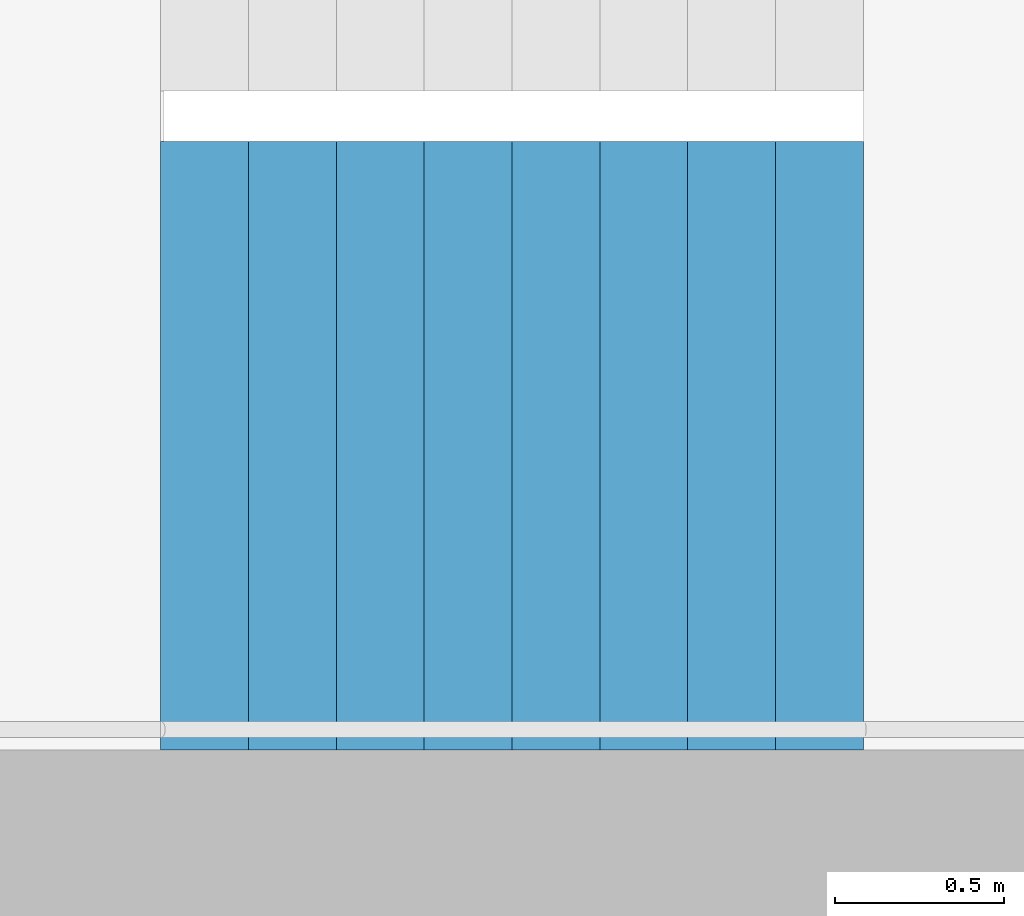
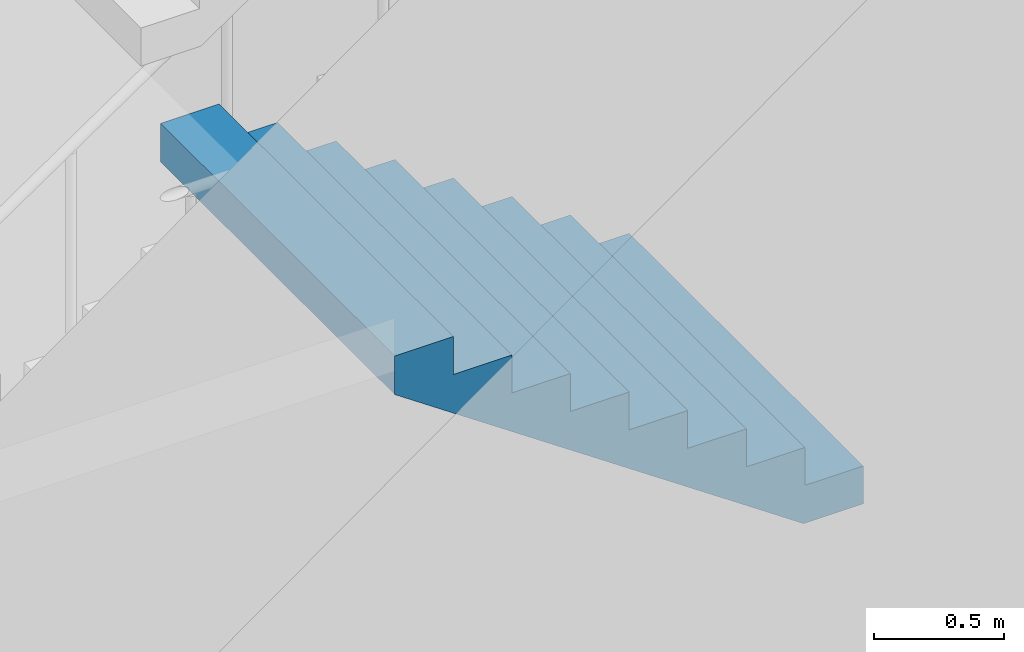
# One storey, part 23 of 41: 1 stair flight, 1 element without a shape of its own.
"""IFC4 building model written with IfcOpenShell, lengths in metres."""

from ifc_helpers import new_model, si_unit, direction, frame, origin, place, context, subcontext, project, spatial, triangles, material, type_object, element, aggregate, save


model = new_model("IFC4")

# Units and contexts
model_context = context("Model", 3, precision=1e-05, world=origin(), true_north=direction((0.0, 1.0)))
body_context = subcontext(model_context, "Body", "Model", "MODEL_VIEW")
ifc_project = project(units=[si_unit("LENGTHUNIT", "METRE"), si_unit("AREAUNIT", "SQUARE_METRE"), si_unit("VOLUMEUNIT", "CUBIC_METRE"), si_unit("PLANEANGLEUNIT", "RADIAN"), si_unit("MASSUNIT", "GRAM", prefix="KILO")], contexts=[model_context])

# Site, building, storey
site_placement = place(None, origin())
site = spatial("IfcSite", under=ifc_project, at=site_placement, CompositionType="ELEMENT")
building_placement = place(site_placement, origin())
building = spatial("IfcBuilding", under=site, at=building_placement, Name="Hakoniwa Tower and Hamabe Station Hall", CompositionType="ELEMENT")
storey_placement = place(building_placement, frame((0.0, 0.0, 180.199951171875)))
storey = spatial("IfcBuildingStorey", under=building, at=storey_placement, Name="L51", CompositionType="ELEMENT", Elevation=180.199951171875)

# Stair, stair flight
ifc_material_1 = material(Name="Concrete C40", Category="concrete")
stair_type = type_object("IfcStairType", Name="ESCAPE STAIR 1800", PredefinedType="HALF_TURN_STAIR", material=ifc_material_1)
stair_placement = place(storey_placement, origin())
stair = element("IfcStair", 1, at=stair_placement, inside=storey, type_object=stair_type, Name="Escape stair ST-4 L51", PredefinedType="HALF_TURN_STAIR")
ifc_material_2 = material(Name="Concrete C40", Category="concrete")
stair_flight_type = type_object("IfcStairFlightType", Name="STAIR FLIGHT 1800", PredefinedType="STRAIGHT", material=ifc_material_2)
stair_flight_placement = place(storey_placement, frame((25.47998046875, -6.60009765625, 1.60009765625), z_axis=(0.0, 0.0, 1.0), x_axis=(-1.0, 0.0, 0.0)))
stair_flight = element("IfcStairFlight", 2, at=stair_flight_placement, type_object=stair_flight_type, Name="ST-4 flight 2", NumberOfRisers=9, NumberOfTreads=8, PredefinedType="STRAIGHT", RiserHeight=0.177777778, TreadLength=0.26, context=body_context, shape_type="Tessellation", body=[
    triangles([(0.0, 0.89990234375, 0.0), (0.260009765625, 0.89990234375, 0.0), (0.265625, 0.89990234375, 0.0), (0.52001953125, 0.89990234375, 0.174072265625), (0.780029296875, 0.89990234375, 0.351806640625), (1.0400390625, 0.89990234375, 0.529541015625), (1.300048828125, 0.89990234375, 0.707275390625), (1.56005859375, 0.89990234375, 0.885009765625), (1.820068359375, 0.89990234375, 1.062744140625), (2.080078125, 0.89990234375, 1.24072265625), (2.080078125, 0.89990234375, 1.422119140625), (1.820068359375, 0.89990234375, 1.422119140625), (1.820068359375, 0.89990234375, 1.244384765625), (1.56005859375, 0.89990234375, 1.244384765625), (1.56005859375, 0.89990234375, 1.066650390625), (1.300048828125, 0.89990234375, 1.066650390625), (1.300048828125, 0.89990234375, 0.888916015625), (1.0400390625, 0.89990234375, 0.888916015625), (1.0400390625, 0.89990234375, 0.711181640625), (0.780029296875, 0.89990234375, 0.711181640625), (0.780029296875, 0.89990234375, 0.533447265625), (0.52001953125, 0.89990234375, 0.533447265625), (0.52001953125, 0.89990234375, 0.35546875), (0.265625, 0.89990234375, 0.35546875), (0.260009765625, 0.89990234375, 0.35546875), (0.260009765625, 0.89990234375, 0.177734375), (0.0, 0.89990234375, 0.177734375), (0.0, 0.06005859375, 0.0), (0.260009765625, 0.06005859375, 0.0), (0.265625, 0.06005859375, 0.0), (0.52001953125, 0.06005859375, 0.174072265625), (0.780029296875, 0.06005859375, 0.351806640625), (1.0400390625, 0.06005859375, 0.529541015625), (1.300048828125, 0.06005859375, 0.707275390625), (1.56005859375, 0.06005859375, 0.885009765625), (1.820068359375, 0.06005859375, 1.062744140625), (2.080078125, 0.06005859375, 1.24072265625), (2.080078125, 0.06005859375, 1.422119140625), (1.820068359375, 0.06005859375, 1.422119140625), (1.820068359375, 0.06005859375, 1.244384765625), (1.56005859375, 0.06005859375, 1.244384765625), (1.56005859375, 0.06005859375, 1.066650390625), (1.300048828125, 0.06005859375, 1.066650390625), (1.300048828125, 0.06005859375, 0.888916015625), (1.0400390625, 0.06005859375, 0.888916015625), (1.0400390625, 0.06005859375, 0.711181640625), (0.780029296875, 0.06005859375, 0.711181640625), (0.780029296875, 0.06005859375, 0.533447265625), (0.52001953125, 0.06005859375, 0.533447265625), (0.52001953125, 0.06005859375, 0.35546875), (0.265625, 0.06005859375, 0.35546875), (0.260009765625, 0.06005859375, 0.35546875), (0.260009765625, 0.06005859375, 0.177734375), (0.0, 0.06005859375, 0.177734375), (0.0, 0.04296875, 0.0), (0.260009765625, 0.04296875, 0.0), (0.265625, 0.04296875, 0.0), (0.52001953125, 0.04296875, 0.174072265625), (0.780029296875, 0.04296875, 0.351806640625), (1.0400390625, 0.04296875, 0.529541015625), (1.300048828125, 0.04296875, 0.707275390625), (1.56005859375, 0.04296875, 0.885009765625), (1.820068359375, 0.04296875, 1.062744140625), (2.080078125, 0.04296875, 1.24072265625), (2.080078125, 0.04296875, 1.422119140625), (1.820068359375, 0.04296875, 1.422119140625), (1.820068359375, 0.04296875, 1.244384765625), (1.56005859375, 0.04296875, 1.244384765625), (1.56005859375, 0.04296875, 1.066650390625), (1.300048828125, 0.04296875, 1.066650390625), (1.300048828125, 0.04296875, 0.888916015625), (1.0400390625, 0.04296875, 0.888916015625), (1.0400390625, 0.04296875, 0.711181640625), (0.780029296875, 0.04296875, 0.711181640625), (0.780029296875, 0.04296875, 0.533447265625), (0.52001953125, 0.04296875, 0.533447265625), (0.52001953125, 0.04296875, 0.35546875), (0.265625, 0.04296875, 0.35546875), (0.260009765625, 0.04296875, 0.35546875), (0.260009765625, 0.04296875, 0.177734375), (0.0, 0.04296875, 0.177734375), (0.0, 0.025634765625, 0.0), (0.260009765625, 0.025634765625, 0.0), (0.265625, 0.025634765625, 0.0), (0.52001953125, 0.025634765625, 0.174072265625), (0.780029296875, 0.025634765625, 0.351806640625), (1.0400390625, 0.025634765625, 0.529541015625), (1.300048828125, 0.025634765625, 0.707275390625), (1.56005859375, 0.025634765625, 0.885009765625), (1.820068359375, 0.025634765625, 1.062744140625), (2.080078125, 0.025634765625, 1.24072265625), (2.080078125, 0.025634765625, 1.422119140625), (1.820068359375, 0.025634765625, 1.422119140625), (1.820068359375, 0.025634765625, 1.244384765625), (1.56005859375, 0.025634765625, 1.244384765625), (1.56005859375, 0.025634765625, 1.066650390625), (1.300048828125, 0.025634765625, 1.066650390625), (1.300048828125, 0.025634765625, 0.888916015625), (1.0400390625, 0.025634765625, 0.888916015625), (1.0400390625, 0.025634765625, 0.711181640625), (0.780029296875, 0.025634765625, 0.711181640625), (0.780029296875, 0.025634765625, 0.533447265625), (0.52001953125, 0.025634765625, 0.533447265625), (0.52001953125, 0.025634765625, 0.35546875), (0.265625, 0.025634765625, 0.35546875), (0.260009765625, 0.025634765625, 0.35546875), (0.260009765625, 0.025634765625, 0.177734375), (0.0, 0.025634765625, 0.177734375), (0.0, 0.008544921875, 0.0), (0.260009765625, 0.008544921875, 0.0), (0.265625, 0.008544921875, 0.0), (0.52001953125, 0.008544921875, 0.174072265625), (0.780029296875, 0.008544921875, 0.351806640625), (1.0400390625, 0.008544921875, 0.529541015625), (1.300048828125, 0.008544921875, 0.707275390625), (1.56005859375, 0.008544921875, 0.885009765625), (1.820068359375, 0.008544921875, 1.062744140625), (2.080078125, 0.008544921875, 1.24072265625), (2.080078125, 0.008544921875, 1.422119140625), (1.820068359375, 0.008544921875, 1.422119140625), (1.820068359375, 0.008544921875, 1.244384765625), (1.56005859375, 0.008544921875, 1.244384765625), (1.56005859375, 0.008544921875, 1.066650390625), (1.300048828125, 0.008544921875, 1.066650390625), (1.300048828125, 0.008544921875, 0.888916015625), (1.0400390625, 0.008544921875, 0.888916015625), (1.0400390625, 0.008544921875, 0.711181640625), (0.780029296875, 0.008544921875, 0.711181640625), (0.780029296875, 0.008544921875, 0.533447265625), (0.52001953125, 0.008544921875, 0.533447265625), (0.52001953125, 0.008544921875, 0.35546875), (0.265625, 0.008544921875, 0.35546875), (0.260009765625, 0.008544921875, 0.35546875), (0.260009765625, 0.008544921875, 0.177734375), (0.0, 0.008544921875, 0.177734375), (0.0, -0.008544921875, 0.0), (0.260009765625, -0.008544921875, 0.0), (0.265625, -0.008544921875, 0.0), (0.52001953125, -0.008544921875, 0.174072265625), (0.780029296875, -0.008544921875, 0.351806640625), (1.0400390625, -0.008544921875, 0.529541015625), (1.300048828125, -0.008544921875, 0.707275390625), (1.56005859375, -0.008544921875, 0.885009765625), (1.820068359375, -0.008544921875, 1.062744140625), (2.080078125, -0.008544921875, 1.24072265625), (2.080078125, -0.008544921875, 1.422119140625), (1.820068359375, -0.008544921875, 1.422119140625), (1.820068359375, -0.008544921875, 1.244384765625), (1.56005859375, -0.008544921875, 1.244384765625), (1.56005859375, -0.008544921875, 1.066650390625), (1.300048828125, -0.008544921875, 1.066650390625), (1.300048828125, -0.008544921875, 0.888916015625), (1.0400390625, -0.008544921875, 0.888916015625), (1.0400390625, -0.008544921875, 0.711181640625), (0.780029296875, -0.008544921875, 0.711181640625), (0.780029296875, -0.008544921875, 0.533447265625), (0.52001953125, -0.008544921875, 0.533447265625), (0.52001953125, -0.008544921875, 0.35546875), (0.265625, -0.008544921875, 0.35546875), (0.260009765625, -0.008544921875, 0.35546875), (0.260009765625, -0.008544921875, 0.177734375), (0.0, -0.008544921875, 0.177734375), (0.0, -0.025634765625, 0.0), (0.260009765625, -0.025634765625, 0.0), (0.265625, -0.025634765625, 0.0), (0.52001953125, -0.025634765625, 0.174072265625), (0.780029296875, -0.025634765625, 0.351806640625), (1.0400390625, -0.025634765625, 0.529541015625), (1.300048828125, -0.025634765625, 0.707275390625), (1.56005859375, -0.025634765625, 0.885009765625), (1.820068359375, -0.025634765625, 1.062744140625), (2.080078125, -0.025634765625, 1.24072265625), (2.080078125, -0.025634765625, 1.422119140625), (1.820068359375, -0.025634765625, 1.422119140625), (1.820068359375, -0.025634765625, 1.244384765625), (1.56005859375, -0.025634765625, 1.244384765625), (1.56005859375, -0.025634765625, 1.066650390625), (1.300048828125, -0.025634765625, 1.066650390625), (1.300048828125, -0.025634765625, 0.888916015625), (1.0400390625, -0.025634765625, 0.888916015625), (1.0400390625, -0.025634765625, 0.711181640625), (0.780029296875, -0.025634765625, 0.711181640625), (0.780029296875, -0.025634765625, 0.533447265625), (0.52001953125, -0.025634765625, 0.533447265625), (0.52001953125, -0.025634765625, 0.35546875), (0.265625, -0.025634765625, 0.35546875), (0.260009765625, -0.025634765625, 0.35546875), (0.260009765625, -0.025634765625, 0.177734375), (0.0, -0.025634765625, 0.177734375), (0.0, -0.04296875, 0.0), (0.260009765625, -0.04296875, 0.0), (0.265625, -0.04296875, 0.0), (0.52001953125, -0.04296875, 0.174072265625), (0.780029296875, -0.04296875, 0.351806640625), (1.0400390625, -0.04296875, 0.529541015625), (1.300048828125, -0.04296875, 0.707275390625), (1.56005859375, -0.04296875, 0.885009765625), (1.820068359375, -0.04296875, 1.062744140625), (2.080078125, -0.04296875, 1.24072265625), (2.080078125, -0.04296875, 1.422119140625), (1.820068359375, -0.04296875, 1.422119140625), (1.820068359375, -0.04296875, 1.244384765625), (1.56005859375, -0.04296875, 1.244384765625), (1.56005859375, -0.04296875, 1.066650390625), (1.300048828125, -0.04296875, 1.066650390625), (1.300048828125, -0.04296875, 0.888916015625), (1.0400390625, -0.04296875, 0.888916015625), (1.0400390625, -0.04296875, 0.711181640625), (0.780029296875, -0.04296875, 0.711181640625), (0.780029296875, -0.04296875, 0.533447265625), (0.52001953125, -0.04296875, 0.533447265625), (0.52001953125, -0.04296875, 0.35546875), (0.265625, -0.04296875, 0.35546875), (0.260009765625, -0.04296875, 0.35546875), (0.260009765625, -0.04296875, 0.177734375), (0.0, -0.04296875, 0.177734375), (0.0, -0.06005859375, 0.0), (0.260009765625, -0.06005859375, 0.0), (0.265625, -0.06005859375, 0.0), (0.52001953125, -0.06005859375, 0.174072265625), (0.780029296875, -0.06005859375, 0.351806640625), (1.0400390625, -0.06005859375, 0.529541015625), (1.300048828125, -0.06005859375, 0.707275390625), (1.56005859375, -0.06005859375, 0.885009765625), (1.820068359375, -0.06005859375, 1.062744140625), (2.080078125, -0.06005859375, 1.24072265625), (2.080078125, -0.06005859375, 1.422119140625), (1.820068359375, -0.06005859375, 1.422119140625), (1.820068359375, -0.06005859375, 1.244384765625), (1.56005859375, -0.06005859375, 1.244384765625), (1.56005859375, -0.06005859375, 1.066650390625), (1.300048828125, -0.06005859375, 1.066650390625), (1.300048828125, -0.06005859375, 0.888916015625), (1.0400390625, -0.06005859375, 0.888916015625), (1.0400390625, -0.06005859375, 0.711181640625), (0.780029296875, -0.06005859375, 0.711181640625), (0.780029296875, -0.06005859375, 0.533447265625), (0.52001953125, -0.06005859375, 0.533447265625), (0.52001953125, -0.06005859375, 0.35546875), (0.265625, -0.06005859375, 0.35546875), (0.260009765625, -0.06005859375, 0.35546875), (0.260009765625, -0.06005859375, 0.177734375), (0.0, -0.06005859375, 0.177734375), (0.0, -0.89990234375, 0.0), (0.260009765625, -0.89990234375, 0.0), (0.265625, -0.89990234375, 0.0), (0.52001953125, -0.89990234375, 0.174072265625), (0.780029296875, -0.89990234375, 0.351806640625), (1.0400390625, -0.89990234375, 0.529541015625), (1.300048828125, -0.89990234375, 0.707275390625), (1.56005859375, -0.89990234375, 0.885009765625), (1.820068359375, -0.89990234375, 1.062744140625), (2.080078125, -0.89990234375, 1.24072265625), (2.080078125, -0.89990234375, 1.422119140625), (1.820068359375, -0.89990234375, 1.422119140625), (1.820068359375, -0.89990234375, 1.244384765625), (1.56005859375, -0.89990234375, 1.244384765625), (1.56005859375, -0.89990234375, 1.066650390625), (1.300048828125, -0.89990234375, 1.066650390625), (1.300048828125, -0.89990234375, 0.888916015625), (1.0400390625, -0.89990234375, 0.888916015625), (1.0400390625, -0.89990234375, 0.711181640625), (0.780029296875, -0.89990234375, 0.711181640625), (0.780029296875, -0.89990234375, 0.533447265625), (0.52001953125, -0.89990234375, 0.533447265625), (0.52001953125, -0.89990234375, 0.35546875), (0.265625, -0.89990234375, 0.35546875), (0.260009765625, -0.89990234375, 0.35546875), (0.260009765625, -0.89990234375, 0.177734375), (0.0, -0.89990234375, 0.177734375)], [[2, 27, 26], [245, 269, 270], [2, 1, 27], [245, 270, 244], [3, 25, 24], [246, 267, 268], [3, 26, 25], [246, 268, 269], [3, 2, 26], [246, 269, 245], [4, 24, 23], [247, 266, 267], [4, 3, 24], [247, 267, 246], [5, 22, 21], [248, 264, 265], [5, 23, 22], [248, 265, 266], [5, 4, 23], [248, 266, 247], [6, 20, 19], [249, 262, 263], [6, 21, 20], [249, 263, 264], [6, 5, 21], [249, 264, 248], [7, 18, 17], [250, 260, 261], [7, 19, 18], [250, 261, 262], [7, 6, 19], [250, 262, 249], [8, 16, 15], [251, 258, 259], [8, 17, 16], [251, 259, 260], [8, 7, 17], [251, 260, 250], [9, 14, 13], [252, 256, 257], [9, 15, 14], [252, 257, 258], [9, 8, 15], [252, 258, 251], [10, 12, 11], [253, 254, 255], [10, 13, 12], [253, 255, 256], [10, 9, 13], [253, 256, 252], [1, 2, 29], [1, 29, 28], [28, 29, 56], [28, 56, 55], [55, 56, 83], [55, 83, 82], [82, 83, 110], [82, 110, 109], [109, 110, 137], [109, 137, 136], [136, 137, 164], [136, 164, 163], [163, 164, 191], [163, 191, 190], [190, 191, 218], [190, 218, 217], [217, 218, 245], [217, 245, 244], [2, 3, 30], [2, 30, 29], [29, 30, 57], [29, 57, 56], [56, 57, 84], [56, 84, 83], [83, 84, 111], [83, 111, 110], [110, 111, 138], [110, 138, 137], [137, 138, 165], [137, 165, 164], [164, 165, 192], [164, 192, 191], [191, 192, 219], [191, 219, 218], [218, 219, 246], [218, 246, 245], [3, 4, 31], [3, 31, 30], [30, 31, 58], [30, 58, 57], [57, 58, 85], [57, 85, 84], [84, 85, 112], [84, 112, 111], [111, 112, 139], [111, 139, 138], [138, 139, 166], [138, 166, 165], [165, 166, 193], [165, 193, 192], [192, 193, 220], [192, 220, 219], [219, 220, 247], [219, 247, 246], [4, 5, 32], [4, 32, 31], [31, 32, 59], [31, 59, 58], [58, 59, 86], [58, 86, 85], [85, 86, 113], [85, 113, 112], [112, 113, 140], [112, 140, 139], [139, 140, 167], [139, 167, 166], [166, 167, 194], [166, 194, 193], [193, 194, 221], [193, 221, 220], [220, 221, 248], [220, 248, 247], [5, 6, 33], [5, 33, 32], [32, 33, 60], [32, 60, 59], [59, 60, 87], [59, 87, 86], [86, 87, 114], [86, 114, 113], [113, 114, 141], [113, 141, 140], [140, 141, 168], [140, 168, 167], [167, 168, 195], [167, 195, 194], [194, 195, 222], [194, 222, 221], [221, 222, 249], [221, 249, 248], [6, 7, 34], [6, 34, 33], [33, 34, 61], [33, 61, 60], [60, 61, 88], [60, 88, 87], [87, 88, 115], [87, 115, 114], [114, 115, 142], [114, 142, 141], [141, 142, 169], [141, 169, 168], [168, 169, 196], [168, 196, 195], [195, 196, 223], [195, 223, 222], [222, 223, 250], [222, 250, 249], [7, 8, 35], [7, 35, 34], [34, 35, 62], [34, 62, 61], [61, 62, 89], [61, 89, 88], [88, 89, 116], [88, 116, 115], [115, 116, 143], [115, 143, 142], [142, 143, 170], [142, 170, 169], [169, 170, 197], [169, 197, 196], [196, 197, 224], [196, 224, 223], [223, 224, 251], [223, 251, 250], [8, 9, 36], [8, 36, 35], [35, 36, 63], [35, 63, 62], [62, 63, 90], [62, 90, 89], [89, 90, 117], [89, 117, 116], [116, 117, 144], [116, 144, 143], [143, 144, 171], [143, 171, 170], [170, 171, 198], [170, 198, 197], [197, 198, 225], [197, 225, 224], [224, 225, 252], [224, 252, 251], [9, 10, 37], [9, 37, 36], [36, 37, 64], [36, 64, 63], [63, 64, 91], [63, 91, 90], [90, 91, 118], [90, 118, 117], [117, 118, 145], [117, 145, 144], [144, 145, 172], [144, 172, 171], [171, 172, 199], [171, 199, 198], [198, 199, 226], [198, 226, 225], [225, 226, 253], [225, 253, 252], [10, 11, 38], [10, 38, 37], [37, 38, 65], [37, 65, 64], [64, 65, 92], [64, 92, 91], [91, 92, 119], [91, 119, 118], [118, 119, 146], [118, 146, 145], [145, 146, 173], [145, 173, 172], [172, 173, 200], [172, 200, 199], [199, 200, 227], [199, 227, 226], [226, 227, 254], [226, 254, 253], [11, 12, 39], [11, 39, 38], [38, 39, 66], [38, 66, 65], [65, 66, 93], [65, 93, 92], [92, 93, 120], [92, 120, 119], [119, 120, 147], [119, 147, 146], [146, 147, 174], [146, 174, 173], [173, 174, 201], [173, 201, 200], [200, 201, 228], [200, 228, 227], [227, 228, 255], [227, 255, 254], [12, 13, 40], [12, 40, 39], [39, 40, 67], [39, 67, 66], [66, 67, 94], [66, 94, 93], [93, 94, 121], [93, 121, 120], [120, 121, 148], [120, 148, 147], [147, 148, 175], [147, 175, 174], [174, 175, 202], [174, 202, 201], [201, 202, 229], [201, 229, 228], [228, 229, 256], [228, 256, 255], [13, 14, 41], [13, 41, 40], [40, 41, 68], [40, 68, 67], [67, 68, 95], [67, 95, 94], [94, 95, 122], [94, 122, 121], [121, 122, 149], [121, 149, 148], [148, 149, 176], [148, 176, 175], [175, 176, 203], [175, 203, 202], [202, 203, 230], [202, 230, 229], [229, 230, 257], [229, 257, 256], [14, 15, 42], [14, 42, 41], [41, 42, 69], [41, 69, 68], [68, 69, 96], [68, 96, 95], [95, 96, 123], [95, 123, 122], [122, 123, 150], [122, 150, 149], [149, 150, 177], [149, 177, 176], [176, 177, 204], [176, 204, 203], [203, 204, 231], [203, 231, 230], [230, 231, 258], [230, 258, 257], [15, 16, 43], [15, 43, 42], [42, 43, 70], [42, 70, 69], [69, 70, 97], [69, 97, 96], [96, 97, 124], [96, 124, 123], [123, 124, 151], [123, 151, 150], [150, 151, 178], [150, 178, 177], [177, 178, 205], [177, 205, 204], [204, 205, 232], [204, 232, 231], [231, 232, 259], [231, 259, 258], [16, 17, 44], [16, 44, 43], [43, 44, 71], [43, 71, 70], [70, 71, 98], [70, 98, 97], [97, 98, 125], [97, 125, 124], [124, 125, 152], [124, 152, 151], [151, 152, 179], [151, 179, 178], [178, 179, 206], [178, 206, 205], [205, 206, 233], [205, 233, 232], [232, 233, 260], [232, 260, 259], [17, 18, 45], [17, 45, 44], [44, 45, 72], [44, 72, 71], [71, 72, 99], [71, 99, 98], [98, 99, 126], [98, 126, 125], [125, 126, 153], [125, 153, 152], [152, 153, 180], [152, 180, 179], [179, 180, 207], [179, 207, 206], [206, 207, 234], [206, 234, 233], [233, 234, 261], [233, 261, 260], [18, 19, 46], [18, 46, 45], [45, 46, 73], [45, 73, 72], [72, 73, 100], [72, 100, 99], [99, 100, 127], [99, 127, 126], [126, 127, 154], [126, 154, 153], [153, 154, 181], [153, 181, 180], [180, 181, 208], [180, 208, 207], [207, 208, 235], [207, 235, 234], [234, 235, 262], [234, 262, 261], [19, 20, 47], [19, 47, 46], [46, 47, 74], [46, 74, 73], [73, 74, 101], [73, 101, 100], [100, 101, 128], [100, 128, 127], [127, 128, 155], [127, 155, 154], [154, 155, 182], [154, 182, 181], [181, 182, 209], [181, 209, 208], [208, 209, 236], [208, 236, 235], [235, 236, 263], [235, 263, 262], [20, 21, 48], [20, 48, 47], [47, 48, 75], [47, 75, 74], [74, 75, 102], [74, 102, 101], [101, 102, 129], [101, 129, 128], [128, 129, 156], [128, 156, 155], [155, 156, 183], [155, 183, 182], [182, 183, 210], [182, 210, 209], [209, 210, 237], [209, 237, 236], [236, 237, 264], [236, 264, 263], [21, 22, 49], [21, 49, 48], [48, 49, 76], [48, 76, 75], [75, 76, 103], [75, 103, 102], [102, 103, 130], [102, 130, 129], [129, 130, 157], [129, 157, 156], [156, 157, 184], [156, 184, 183], [183, 184, 211], [183, 211, 210], [210, 211, 238], [210, 238, 237], [237, 238, 265], [237, 265, 264], [22, 23, 50], [22, 50, 49], [49, 50, 77], [49, 77, 76], [76, 77, 104], [76, 104, 103], [103, 104, 131], [103, 131, 130], [130, 131, 158], [130, 158, 157], [157, 158, 185], [157, 185, 184], [184, 185, 212], [184, 212, 211], [211, 212, 239], [211, 239, 238], [238, 239, 266], [238, 266, 265], [23, 24, 51], [23, 51, 50], [50, 51, 78], [50, 78, 77], [77, 78, 105], [77, 105, 104], [104, 105, 132], [104, 132, 131], [131, 132, 159], [131, 159, 158], [158, 159, 186], [158, 186, 185], [185, 186, 213], [185, 213, 212], [212, 213, 240], [212, 240, 239], [239, 240, 267], [239, 267, 266], [24, 25, 52], [24, 52, 51], [51, 52, 79], [51, 79, 78], [78, 79, 106], [78, 106, 105], [105, 106, 133], [105, 133, 132], [132, 133, 160], [132, 160, 159], [159, 160, 187], [159, 187, 186], [186, 187, 214], [186, 214, 213], [213, 214, 241], [213, 241, 240], [240, 241, 268], [240, 268, 267], [25, 26, 53], [25, 53, 52], [52, 53, 80], [52, 80, 79], [79, 80, 107], [79, 107, 106], [106, 107, 134], [106, 134, 133], [133, 134, 161], [133, 161, 160], [160, 161, 188], [160, 188, 187], [187, 188, 215], [187, 215, 214], [214, 215, 242], [214, 242, 241], [241, 242, 269], [241, 269, 268], [26, 27, 54], [26, 54, 53], [53, 54, 81], [53, 81, 80], [80, 81, 108], [80, 108, 107], [107, 108, 135], [107, 135, 134], [134, 135, 162], [134, 162, 161], [161, 162, 189], [161, 189, 188], [188, 189, 216], [188, 216, 215], [215, 216, 243], [215, 243, 242], [242, 243, 270], [242, 270, 269], [27, 1, 28], [27, 28, 54], [54, 28, 55], [54, 55, 81], [81, 55, 82], [81, 82, 108], [108, 82, 109], [108, 109, 135], [135, 109, 136], [135, 136, 162], [162, 136, 163], [162, 163, 189], [189, 163, 190], [189, 190, 216], [216, 190, 217], [216, 217, 243], [243, 217, 244], [243, 244, 270]], closed=True),
])
aggregate(stair, [stair_flight])

save(model, "model.ifc")
